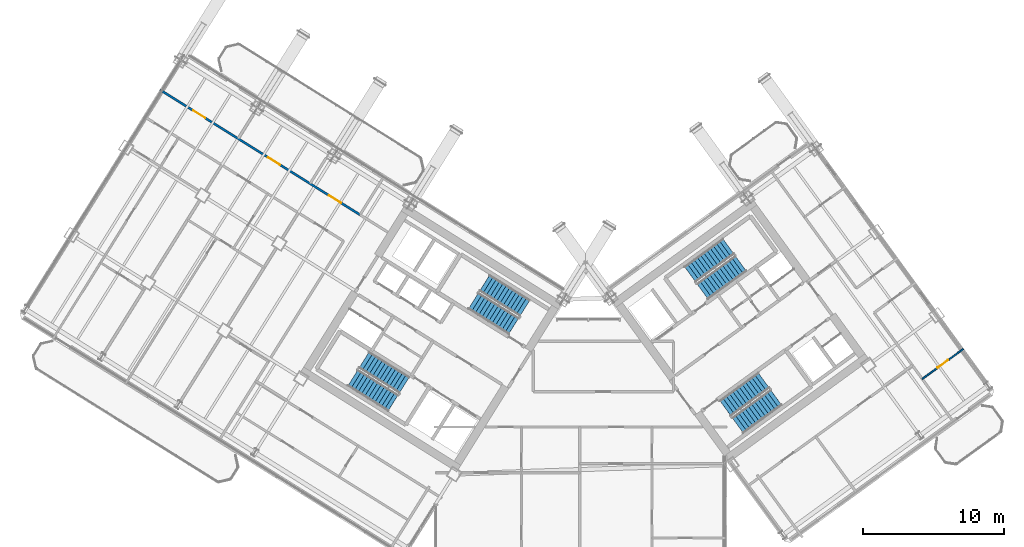
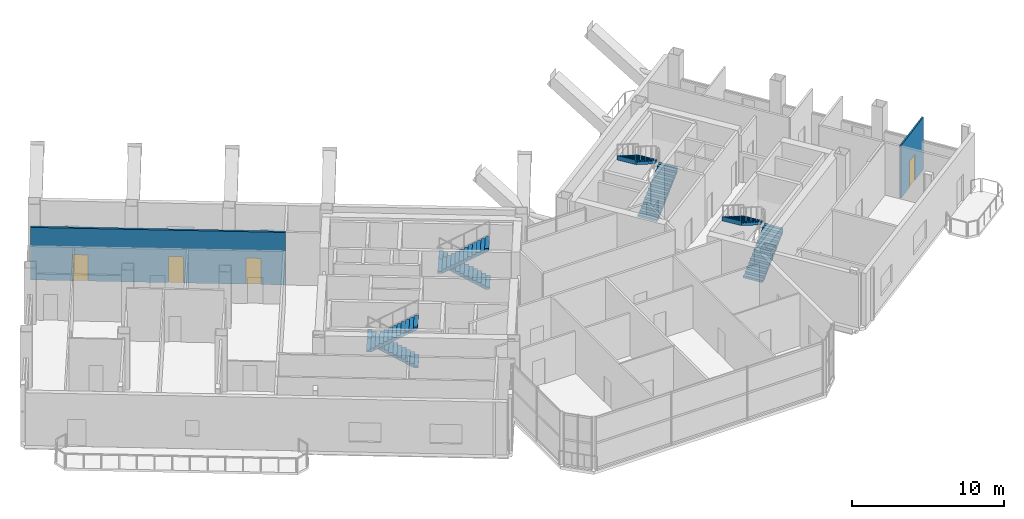
# One storey, part 27 of 34: 8 stair flights, 4 doors, 2 walls, 4 openings, 4 elements without a shape of their own.
"""IFC4 building model written with IfcOpenShell, lengths in metres."""

from ifc_helpers import new_model, si_unit, direction, frame, frame_2d, origin, place, context, subcontext, project, spatial, polyline, rectangle, outline, extrude, source, transform, mapped, material, layer, layer_set, type_object, element, fill, aggregate, save


model = new_model("IFC4")

# Units and contexts
model_context = context("Model", 3, precision=1e-05, world=origin(), true_north=direction((0.0, 1.0)))
body_context = subcontext(model_context, "Body", "Model", "MODEL_VIEW")
ifc_project = project(units=[si_unit("LENGTHUNIT", "METRE"), si_unit("AREAUNIT", "SQUARE_METRE"), si_unit("VOLUMEUNIT", "CUBIC_METRE"), si_unit("PLANEANGLEUNIT", "RADIAN"), si_unit("MASSUNIT", "GRAM", prefix="KILO")], contexts=[model_context])

# Site, building, storey
site_placement = place(None, origin())
site = spatial("IfcSite", under=ifc_project, at=site_placement, CompositionType="ELEMENT")
building_placement = place(site_placement, origin())
building = spatial("IfcBuilding", under=site, at=building_placement, Name="Tlacorven Tower", CompositionType="ELEMENT")
storey_placement = place(building_placement, frame((0.0, 0.0, 174.89990234375)))
storey = spatial("IfcBuildingStorey", under=building, at=storey_placement, Name="L44", CompositionType="ELEMENT", Elevation=174.89990234375)

# Wall, openings, doors
ifc_material_1 = material(Name="Gypsum plasterboard acoustic partition", Category="gypsum")
ifc_layer_1 = layer(ifc_material_1, 0.159912109375)
ifc_layer_set_1 = layer_set([ifc_layer_1], Name="Gypsum plasterboard acoustic partition")
wall_type_1 = type_object("IfcWallType", Name="WL-DEM-160", PredefinedType="PARTITIONING", material=ifc_layer_set_1)
wall_1_placement = place(storey_placement, frame((26.36328125, 30.471923828125, 0.0), z_axis=(0.0, 0.0, 1.0), x_axis=(-0.848052408131, 0.529912363569, 0.0)))
wall_1 = element("IfcWall", 1, at=wall_1_placement, inside=storey, type_object=wall_type_1, Name="L44 Wing W Corridor South Wall", PredefinedType="PARTITIONING", context=body_context, shape_type="SweptSolid", body=[
    extrude(rectangle(XDim=16.72998046875, YDim=0.159912109375, at=frame_2d((8.364990234375, 0.0))), origin(), (0.0, 0.0, 1.0), 4.210205078125),
])
opening_1_placement = place(wall_1_placement, frame((1.58837890625, 0.0, 0.0)))
opening_1 = element("IfcOpeningElement", 2, at=opening_1_placement, cuts=wall_1, Name="Opening D11", PredefinedType="OPENING", context=body_context, shape_type="SweptSolid", body=[
    extrude(rectangle(XDim=1.0, YDim=2.10009765625, at=frame_2d((0.5, 1.050048828125))), frame((0.0, 0.08984375, 0.0), z_axis=(0.0, -1.0, 0.0), x_axis=(1.0, 0.0, 0.0)), (0.0, 0.0, 1.0), 0.179931640625),
])
opening_2_placement = place(wall_1_placement, frame((6.68505859375, 0.0, 0.0)))
opening_2 = element("IfcOpeningElement", 3, at=opening_2_placement, cuts=wall_1, Name="Opening D11", PredefinedType="OPENING", context=body_context, shape_type="SweptSolid", body=[
    extrude(rectangle(XDim=1.0, YDim=2.10009765625, at=frame_2d((0.5, 1.050048828125))), frame((0.0, 0.08984375, 0.0), z_axis=(0.0, -1.0, 0.0), x_axis=(1.0, 0.0, 0.0)), (0.0, 0.0, 1.0), 0.179931640625),
])
opening_3_placement = place(wall_1_placement, frame((12.951416015625, 0.0, 0.0)))
opening_3 = element("IfcOpeningElement", 4, at=opening_3_placement, cuts=wall_1, Name="Opening D11", PredefinedType="OPENING", context=body_context, shape_type="SweptSolid", body=[
    extrude(rectangle(XDim=1.0, YDim=2.10009765625, at=frame_2d((0.5, 1.050048828125))), frame((0.0, 0.08984375, 0.0), z_axis=(0.0, -1.0, 0.0), x_axis=(1.0, 0.0, 0.0)), (0.0, 0.0, 1.0), 0.179931640625),
])
ifc_material_2 = material(Name="Fire-rated steel door assembly", Category="steel")
door_type_1 = type_object("IfcDoorType", Name="DR-FLT-FD60-1000", OperationType="NOTDEFINED", PredefinedType="DOOR", material=ifc_material_2)
shared_shape_1 = source(origin(), body_context, "Body", "SweptSolid", [
    extrude(rectangle(XDim=1.0, YDim=2.10009765625, at=frame_2d((0.5, 1.050048828125))), frame((0.0, 0.02490234375, 0.0), z_axis=(0.0, -1.0, 0.0), x_axis=(1.0, 0.0, 0.0)), (0.0, 0.0, 1.0), 0.050048828125),
])
door_1_placement = place(opening_1_placement, frame((1.0, 0.0, 0.0), z_axis=(0.0, 0.0, 1.0), x_axis=(-1.0, 0.0, 0.0)))
door_1 = element("IfcDoor", 5, at=door_1_placement, inside=storey, type_object=door_type_1, Name="L44 door 036", OperationType="SINGLE_SWING_LEFT", OverallHeight=2.10009765625, OverallWidth=1.0, PredefinedType="DOOR", context=body_context, shape_type="MappedRepresentation", body=[
    mapped(shared_shape_1, transform((0.0, 0.0, 0.0), scale=1.0)),
])
fill(opening_1, door_1)
door_2_placement = place(opening_2_placement, frame((1.0, 0.0, 0.0), z_axis=(0.0, 0.0, 1.0), x_axis=(-1.0, 0.0, 0.0)))
door_2 = element("IfcDoor", 6, at=door_2_placement, inside=storey, type_object=door_type_1, Name="L44 door 037", OperationType="SINGLE_SWING_RIGHT", OverallHeight=2.10009765625, OverallWidth=1.0, PredefinedType="DOOR", context=body_context, shape_type="MappedRepresentation", body=[
    mapped(shared_shape_1, transform((0.0, 0.0, 0.0), scale=1.0)),
])
fill(opening_2, door_2)
door_3_placement = place(opening_3_placement, frame((1.0, 0.0, 0.0), z_axis=(0.0, 0.0, 1.0), x_axis=(-1.0, 0.0, 0.0)))
door_3 = element("IfcDoor", 7, at=door_3_placement, inside=storey, type_object=door_type_1, Name="L44 door 038", OperationType="SINGLE_SWING_LEFT", OverallHeight=2.10009765625, OverallWidth=1.0, PredefinedType="DOOR", context=body_context, shape_type="MappedRepresentation", body=[
    mapped(shared_shape_1, transform((0.0, 0.0, 0.0), scale=1.0)),
])
fill(opening_3, door_3)

# Wall, opening, door
ifc_material_3 = material(Name="Gypsum plasterboard partition", Category="gypsum")
ifc_layer_2 = layer(ifc_material_3, 0.110107421875)
ifc_layer_set_2 = layer_set([ifc_layer_2], Name="Gypsum plasterboard partition")
wall_type_2 = type_object("IfcWallType", Name="WL-INT-110", PredefinedType="PARTITIONING", material=ifc_layer_set_2)
wall_2_placement = place(storey_placement, frame((66.23828125, 18.8330078125, 0.0), z_axis=(0.0, 0.0, 1.0), x_axis=(0.809013833588, 0.587789602718, 0.0)))
wall_2 = element("IfcWall", 8, at=wall_2_placement, inside=storey, type_object=wall_type_2, Name="L44 partition 94", PredefinedType="PARTITIONING", context=body_context, shape_type="SweptSolid", body=[
    extrude(rectangle(XDim=3.60986328125, YDim=0.110107421875, at=frame_2d((1.804931640625, 0.0))), origin(), (0.0, 0.0, 1.0), 4.210205078125),
])
opening_4_placement = place(wall_2_placement, frame((1.344970703125, 0.0, 0.0)))
opening_4 = element("IfcOpeningElement", 9, at=opening_4_placement, cuts=wall_2, Name="Opening D12", PredefinedType="OPENING", context=body_context, shape_type="SweptSolid", body=[
    extrude(rectangle(XDim=0.919921875, YDim=2.080078125, at=frame_2d((0.4599609375, 1.0400390625))), frame((0.0, 0.06494140625, 0.0), z_axis=(0.0, -1.0, 0.0), x_axis=(1.0, 0.0, 0.0)), (0.0, 0.0, 1.0), 0.130126953125),
])
ifc_material_4 = material(Name="Powder-coated aluminium and timber door", Category="wood")
door_type_2 = type_object("IfcDoorType", Name="DR-INT-ROOM-0920", OperationType="NOTDEFINED", PredefinedType="DOOR", material=ifc_material_4)
shared_shape_2 = source(origin(), body_context, "Body", "SweptSolid", [
    extrude(rectangle(XDim=0.919921875, YDim=2.080078125, at=frame_2d((0.4599609375, 1.0400390625))), frame((0.0, 0.02490234375, 0.0), z_axis=(0.0, -1.0, 0.0), x_axis=(1.0, 0.0, 0.0)), (0.0, 0.0, 1.0), 0.050048828125),
])
door_4_placement = place(opening_4_placement, origin())
door_4 = element("IfcDoor", 10, at=door_4_placement, inside=storey, type_object=door_type_2, Name="L44 door 060", OperationType="SINGLE_SWING_LEFT", OverallHeight=2.080078125, OverallWidth=0.919921875, PredefinedType="DOOR", context=body_context, shape_type="MappedRepresentation", body=[
    mapped(shared_shape_2, transform((0.0, 0.0, 0.0), scale=1.0)),
])
fill(opening_4, door_4)

# Stair, stair flights
ifc_material_5 = material(Name="Concrete C40/50", Category="concrete")
stair_type = type_object("IfcStairType", Name="ST-CORE-DLG", PredefinedType="HALF_TURN_STAIR", material=ifc_material_5)
stair_1_placement = place(storey_placement, origin())
stair_1 = element("IfcStair", 11, at=stair_1_placement, inside=storey, type_object=stair_type, Name="L44 Protected Exit Stair West 1", PredefinedType="HALF_TURN_STAIR")
stair_flight_type = type_object("IfcStairFlightType", Name="SFL-RC-1380", PredefinedType="STRAIGHT", material=ifc_material_5)
shared_shape_3 = source(origin(), body_context, "Body", "SweptSolid", [
    extrude(outline(polyline([(-0.0029296875, -0.0029296875), (-0.0029296875, 0.173095703125), (0.280029296875, 0.173095703125), (0.280029296875, 0.34619140625), (0.56005859375, 0.34619140625), (0.56005859375, 0.519287109375), (0.840087890625, 0.519287109375), (0.840087890625, 0.6923828125), (1.1201171875, 0.6923828125), (1.1201171875, 0.865478515625), (1.39990234375, 0.865478515625), (1.39990234375, 1.03857421875), (1.679931640625, 1.03857421875), (1.679931640625, 1.21142578125), (1.9599609375, 1.21142578125), (1.9599609375, 1.384521484375), (2.239990234375, 1.384521484375), (2.239990234375, 1.5576171875), (2.52001953125, 1.5576171875), (2.52001953125, 1.730712890625), (2.800048828125, 1.730712890625), (2.800048828125, 1.90380859375), (3.080078125, 1.90380859375), (3.080078125, 2.076904296875), (3.360107421875, 2.076904296875), (3.360107421875, 2.25), (3.363037109375, 2.25), (3.363037109375, 1.888916015625), (3.360107421875, 1.888916015625), (0.30419921875, 0.0), (0.30419921875, -0.0029296875), (-0.0029296875, -0.0029296875)])), frame((0.0, 0.68994140625, 0.0), z_axis=(0.0, -1.0, 0.0), x_axis=(1.0, 0.0, 0.0)), (0.0, 0.0, 1.0), 1.3798828125),
])
stair_flight_1_placement = place(storey_placement, frame((29.499755859375, 18.39453125, 0.0), z_axis=(0.0, 0.0, 1.0), x_axis=(-0.848048096156, 0.529919264233, 0.0)))
stair_flight_1 = element("IfcStairFlight", 12, at=stair_flight_1_placement, type_object=stair_flight_type, Name="ST-W1 flight 1", NumberOfRisers=13, NumberOfTreads=12, PredefinedType="STRAIGHT", RiserHeight=0.173076923, TreadLength=0.28, context=body_context, shape_type="MappedRepresentation", body=[
    mapped(shared_shape_3, transform((0.0, 0.0, 0.0), scale=1.0)),
])
stair_flight_2_placement = place(storey_placement, frame((25.85546875, 18.903076171875, 2.25), z_axis=(0.0, 0.0, 1.0), x_axis=(0.848048096156, -0.529919264233, 0.0)))
stair_flight_2 = element("IfcStairFlight", 13, at=stair_flight_2_placement, type_object=stair_flight_type, Name="ST-W1 flight 2", NumberOfRisers=13, NumberOfTreads=12, PredefinedType="STRAIGHT", RiserHeight=0.173076923, TreadLength=0.28, context=body_context, shape_type="MappedRepresentation", body=[
    mapped(shared_shape_3, transform((0.0, 0.0, 0.0), scale=1.0)),
])
aggregate(stair_1, [stair_flight_1, stair_flight_2])

stair_2_placement = place(storey_placement, origin())
stair_2 = element("IfcStair", 14, at=stair_2_placement, inside=storey, type_object=stair_type, Name="L44 Protected Exit Stair West 2", PredefinedType="HALF_TURN_STAIR")
stair_flight_3_placement = place(storey_placement, frame((38.051513671875, 23.852294921875, 0.0), z_axis=(0.0, 0.0, 1.0), x_axis=(-0.848048096156, 0.529919264233, 0.0)))
stair_flight_3 = element("IfcStairFlight", 15, at=stair_flight_3_placement, type_object=stair_flight_type, Name="ST-W2 flight 1", NumberOfRisers=13, NumberOfTreads=12, PredefinedType="STRAIGHT", RiserHeight=0.173076923, TreadLength=0.28, context=body_context, shape_type="MappedRepresentation", body=[
    mapped(shared_shape_3, transform((0.0, 0.0, 0.0), scale=1.0)),
])
stair_flight_4_placement = place(storey_placement, frame((34.406982421875, 24.36083984375, 2.25), z_axis=(0.0, 0.0, 1.0), x_axis=(0.848048096156, -0.529919264233, 0.0)))
stair_flight_4 = element("IfcStairFlight", 16, at=stair_flight_4_placement, type_object=stair_flight_type, Name="ST-W2 flight 2", NumberOfRisers=13, NumberOfTreads=12, PredefinedType="STRAIGHT", RiserHeight=0.173076923, TreadLength=0.28, context=body_context, shape_type="MappedRepresentation", body=[
    mapped(shared_shape_3, transform((0.0, 0.0, 0.0), scale=1.0)),
])
aggregate(stair_2, [stair_flight_3, stair_flight_4])

stair_3_placement = place(storey_placement, origin())
stair_3 = element("IfcStair", 17, at=stair_3_placement, inside=storey, type_object=stair_type, Name="L44 Protected Exit Stair East 1", PredefinedType="HALF_TURN_STAIR")
stair_flight_5_placement = place(storey_placement, frame((50.6533203125, 25.0400390625, 0.0), z_axis=(0.0, 0.0, 1.0), x_axis=(0.809016994375, 0.587785252292, 0.0)))
stair_flight_5 = element("IfcStairFlight", 18, at=stair_flight_5_placement, type_object=stair_flight_type, Name="ST-E1 flight 1", NumberOfRisers=13, NumberOfTreads=12, PredefinedType="STRAIGHT", RiserHeight=0.173076923, TreadLength=0.28, context=body_context, shape_type="MappedRepresentation", body=[
    mapped(shared_shape_3, transform((0.0, 0.0, 0.0), scale=1.0)),
])
stair_flight_6_placement = place(storey_placement, frame((52.489990234375, 28.228515625, 2.25), z_axis=(0.0, 0.0, 1.0), x_axis=(-0.809016994375, -0.587785252292, 0.0)))
stair_flight_6 = element("IfcStairFlight", 19, at=stair_flight_6_placement, type_object=stair_flight_type, Name="ST-E1 flight 2", NumberOfRisers=13, NumberOfTreads=12, PredefinedType="STRAIGHT", RiserHeight=0.173076923, TreadLength=0.28, context=body_context, shape_type="MappedRepresentation", body=[
    mapped(shared_shape_3, transform((0.0, 0.0, 0.0), scale=1.0)),
])
aggregate(stair_3, [stair_flight_5, stair_flight_6])

stair_4_placement = place(storey_placement, origin())
stair_4 = element("IfcStair", 20, at=stair_4_placement, inside=storey, type_object=stair_type, Name="L44 Protected Exit Stair East 2", PredefinedType="HALF_TURN_STAIR")
stair_flight_7_placement = place(storey_placement, frame((53.157470703125, 15.536865234375, 0.0), z_axis=(0.0, 0.0, 1.0), x_axis=(0.809016994375, 0.587785252292, 0.0)))
stair_flight_7 = element("IfcStairFlight", 21, at=stair_flight_7_placement, type_object=stair_flight_type, Name="ST-E2 flight 1", NumberOfRisers=13, NumberOfTreads=12, PredefinedType="STRAIGHT", RiserHeight=0.173076923, TreadLength=0.28, context=body_context, shape_type="MappedRepresentation", body=[
    mapped(shared_shape_3, transform((0.0, 0.0, 0.0), scale=1.0)),
])
stair_flight_8_placement = place(storey_placement, frame((54.994140625, 18.725341796875, 2.25), z_axis=(0.0, 0.0, 1.0), x_axis=(-0.809016994375, -0.587785252292, 0.0)))
stair_flight_8 = element("IfcStairFlight", 22, at=stair_flight_8_placement, type_object=stair_flight_type, Name="ST-E2 flight 2", NumberOfRisers=13, NumberOfTreads=12, PredefinedType="STRAIGHT", RiserHeight=0.173076923, TreadLength=0.28, context=body_context, shape_type="MappedRepresentation", body=[
    mapped(shared_shape_3, transform((0.0, 0.0, 0.0), scale=1.0)),
])
aggregate(stair_4, [stair_flight_7, stair_flight_8])

save(model, "model.ifc")
